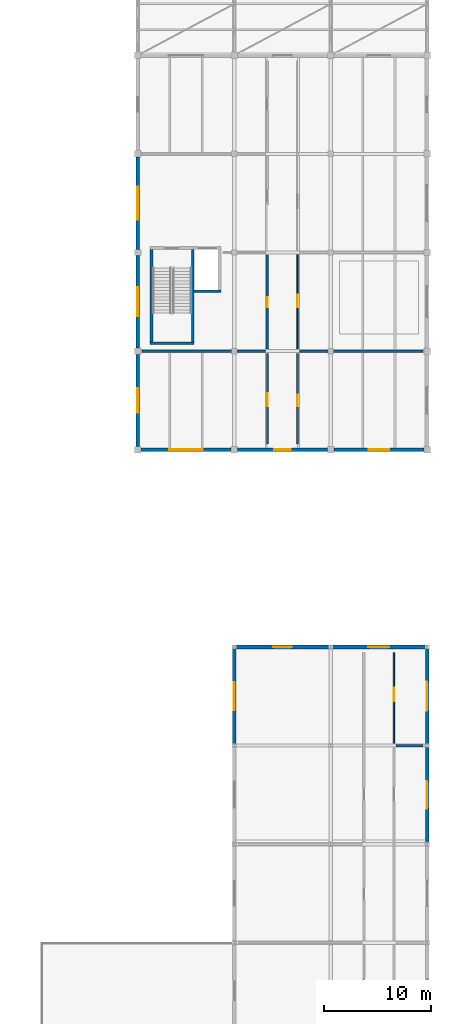
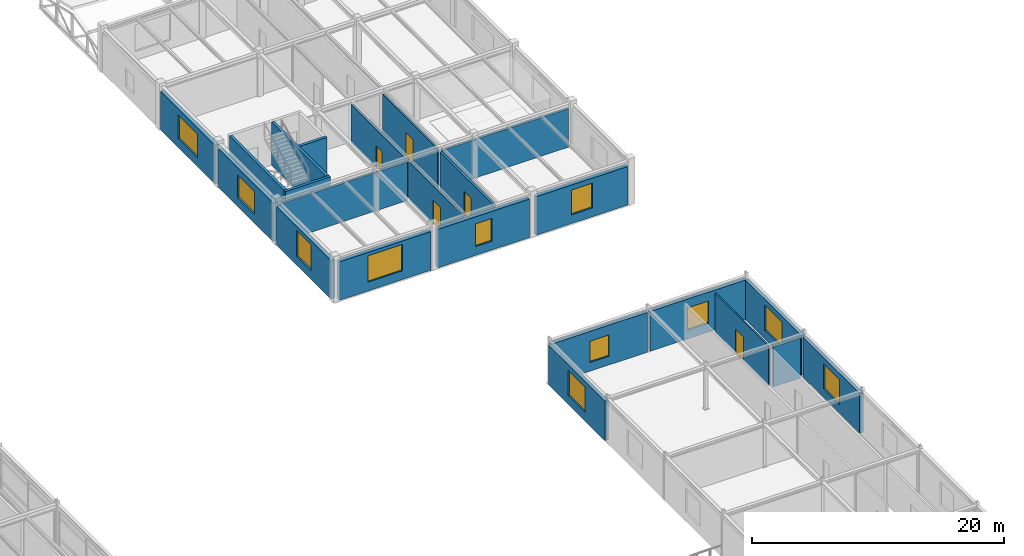
# One storey, part 45 of 55: 23 walls, 11 windows, 5 doors, 16 openings.
"""IFC4 building model written with IfcOpenShell, lengths in metres."""

from ifc_helpers import new_model, si_unit, direction, frame, frame_2d, origin, place, context, subcontext, project, spatial, rectangle, extrude, material, layer, layer_set, type_object, element, fill, save


model = new_model("IFC4")

# Units and contexts
model_context = context("Model", 3, precision=1e-05, world=origin(), true_north=direction((0.0, 1.0)))
body_context = subcontext(model_context, "Body", "Model", "MODEL_VIEW")
ifc_project = project(units=[si_unit("LENGTHUNIT", "METRE"), si_unit("AREAUNIT", "SQUARE_METRE"), si_unit("VOLUMEUNIT", "CUBIC_METRE"), si_unit("PLANEANGLEUNIT", "RADIAN"), si_unit("MASSUNIT", "GRAM", prefix="KILO")], contexts=[model_context])

# Site, building, storey
site_placement = place(None, origin())
site = spatial("IfcSite", under=ifc_project, at=site_placement, CompositionType="ELEMENT")
building_placement = place(site_placement, origin())
building = spatial("IfcBuilding", under=site, at=building_placement, Name="Bozkorgan Art Gallery", CompositionType="ELEMENT")
storey_placement = place(building_placement, frame((0.0, 0.0, 15.0)))
storey = spatial("IfcBuildingStorey", under=building, at=storey_placement, Name="L03", CompositionType="ELEMENT", Elevation=15.0)

# Walls
ifc_material_1 = material(Name="Concrete C40/50", Category="concrete")
ifc_layer_1 = layer(ifc_material_1, 0.25, Name="Concrete C40/50")
ifc_layer_set_1 = layer_set([ifc_layer_1], Name="Concrete C40/50")
wall_type_1 = type_object("IfcWallType", Name="IWALL-CW-51", PredefinedType="SHEAR", material=ifc_layer_set_1)
wall_1_placement = place(storey_placement, frame((138.14990234375, 75.925048828125, 0.0), z_axis=(0.0, 0.0, 1.0), x_axis=(1.0, 0.0, 0.0)))
element("IfcWall", 1, at=wall_1_placement, inside=storey, type_object=wall_type_1, Name="CORE3 L03 stair core S shear wall", PredefinedType="SHEAR", context=body_context, shape_type="SweptSolid", body=[
    extrude(rectangle(XDim=4.10009765625, YDim=0.25, at=frame_2d((2.050048828125, 0.0))), origin(), (0.0, 0.0, 1.0), 4.179931640625),
])
for number, where, z_axis, x_axis, name in (
    (2, (138.27490234375, 76.050048828125, 0.0), (0.0, 0.0, 1.0), (0.0, 1.0, 0.0), "CORE3 L03 stair core W shear wall"),
    (3, (142.125, 76.050048828125, 0.0), (0.0, 0.0, 1.0), (0.0, 1.0, 0.0), "CORE3 L03 stair core E shear wall"),
):
    element("IfcWall", number, at=place(storey_placement, frame(where, z_axis=z_axis, x_axis=x_axis)), inside=storey, type_object=wall_type_1, Name=name, PredefinedType="SHEAR", context=body_context, shape_type="SweptSolid", body=[
        extrude(rectangle(XDim=8.64990234375, YDim=0.25, at=frame_2d((4.324951171875, 0.0))), origin(), (0.0, 0.0, 1.0), 4.179931640625),
    ])
wall_2_placement = place(storey_placement, frame((142.25, 80.77490234375, 0.0), z_axis=(0.0, 0.0, 1.0), x_axis=(1.0, 0.0, 0.0)))
element("IfcWall", 4, at=wall_2_placement, inside=storey, type_object=wall_type_1, Name="GL1 L03 shaft S shear wall", PredefinedType="SHEAR", context=body_context, shape_type="SweptSolid", body=[
    extrude(rectangle(XDim=2.5, YDim=0.25, at=frame_2d((1.25, 0.0))), origin(), (0.0, 0.0, 1.0), 4.179931640625),
])

# Wall, opening, door
ifc_material_2 = material(Name="Acoustic Gypsum & Mineral Wool Partition")
ifc_layer_2 = layer(ifc_material_2, 0.22998046875, Name="Acoustic Gypsum & Mineral Wool Partition")
ifc_layer_set_2 = layer_set([ifc_layer_2], Name="Acoustic Gypsum & Mineral Wool Partition")
wall_type_2 = type_object("IfcWallType", Name="IWALL-PR-08", PredefinedType="PARTITIONING", material=ifc_layer_set_2)
wall_3_placement = place(storey_placement, frame((149.10009765625, 75.419921875, 0.0), z_axis=(0.0, 0.0, 1.0), x_axis=(0.0, 1.0, 0.0)))
wall_3 = element("IfcWall", 5, at=wall_3_placement, inside=storey, type_object=wall_type_2, Name="V5 L03 acoustic partition wall 329", PredefinedType="PARTITIONING", context=body_context, shape_type="SweptSolid", body=[
    extrude(rectangle(XDim=8.760009765625, YDim=0.22998046875, at=frame_2d((4.3798828125, 0.0))), origin(), (0.0, 0.0, 1.0), 3.72509765625),
])
opening_1_placement = place(wall_3_placement, frame((4.7998046875, 0.0, 0.0), z_axis=(0.0, 0.0, 1.0), x_axis=(-1.0, 0.0, 0.0)))
opening_1 = element("IfcOpeningElement", 6, at=opening_1_placement, cuts=wall_3, Name="Opening FD-12", PredefinedType="OPENING", context=body_context, shape_type="SweptSolid", body=[
    extrude(rectangle(XDim=0.919921875, YDim=2.1201171875, at=frame_2d((0.4599609375, 1.06005859375))), frame((0.0, 0.125, 0.0), z_axis=(0.0, -1.0, 0.0), x_axis=(1.0, 0.0, 0.0)), (0.0, 0.0, 1.0), 0.25),
])
ifc_material_3 = material(Name="Oiled European Oak Joinery")
door_type_1 = type_object("IfcDoorType", Name="IDOOR-FD-12", OperationType="NOTDEFINED", PredefinedType="DOOR", material=ifc_material_3)
door_1_placement = place(opening_1_placement, origin())
door_1 = element("IfcDoor", 7, at=door_1_placement, inside=storey, type_object=door_type_1, Name="Exhibition Design Studio Door", OperationType="SINGLE_SWING_LEFT", OverallHeight=2.1201171875, OverallWidth=0.919921875, PredefinedType="DOOR", context=body_context, shape_type="SweptSolid", body=[
    extrude(rectangle(XDim=0.919921875, YDim=2.1201171875, at=frame_2d((0.4599609375, 1.06005859375))), frame((0.0, 0.02490234375, 0.0), z_axis=(0.0, -1.0, 0.0), x_axis=(1.0, 0.0, 0.0)), (0.0, 0.0, 1.0), 0.050048828125),
])
fill(opening_1, door_1)

ifc_layer_3 = layer(ifc_material_2, 0.2099609375, Name="Acoustic Gypsum & Mineral Wool Partition")
ifc_layer_set_3 = layer_set([ifc_layer_3], Name="Acoustic Gypsum & Mineral Wool Partition")
wall_type_3 = type_object("IfcWallType", Name="IWALL-PR-38", PredefinedType="PARTITIONING", material=ifc_layer_set_3)
wall_4_placement = place(storey_placement, frame((151.89990234375, 66.5400390625, 0.0), z_axis=(0.0, 0.0, 1.0), x_axis=(0.0, 1.0, 0.0)))
wall_4 = element("IfcWall", 8, at=wall_4_placement, inside=storey, type_object=wall_type_3, Name="V5 L03 acoustic partition wall 334", PredefinedType="PARTITIONING", context=body_context, shape_type="SweptSolid", body=[
    extrude(rectangle(XDim=8.43994140625, YDim=0.2099609375, at=frame_2d((4.219970703125, 0.0))), origin(), (0.0, 0.0, 1.0), 3.72509765625),
])
opening_2_placement = place(wall_4_placement, frame((3.518798828125, 0.0, 0.0)))
opening_2 = element("IfcOpeningElement", 9, at=opening_2_placement, cuts=wall_4, Name="Opening FD-44", PredefinedType="OPENING", context=body_context, shape_type="SweptSolid", body=[
    extrude(rectangle(XDim=1.080078125, YDim=2.239990234375, at=frame_2d((0.5400390625, 1.1201171875))), frame((0.0, 0.114990234375, 0.0), z_axis=(0.0, -1.0, 0.0), x_axis=(1.0, 0.0, 0.0)), (0.0, 0.0, 1.0), 0.22998046875),
])
door_type_2 = type_object("IfcDoorType", Name="IDOOR-FD-44", OperationType="NOTDEFINED", PredefinedType="DOOR", material=ifc_material_3)
door_2_placement = place(opening_2_placement, origin())
door_2 = element("IfcDoor", 10, at=door_2_placement, inside=storey, type_object=door_type_2, Name="Board Conference Room Door", OperationType="SINGLE_SWING_RIGHT", OverallHeight=2.239990234375, OverallWidth=1.080078125, PredefinedType="DOOR", context=body_context, shape_type="SweptSolid", body=[
    extrude(rectangle(XDim=1.080078125, YDim=2.239990234375, at=frame_2d((0.5400390625, 1.1201171875))), frame((0.0, 0.02490234375, 0.0), z_axis=(0.0, -1.0, 0.0), x_axis=(1.0, 0.0, 0.0)), (0.0, 0.0, 1.0), 0.050048828125),
])
fill(opening_2, door_2)

ifc_layer_4 = layer(ifc_material_2, 0.18994140625, Name="Acoustic Gypsum & Mineral Wool Partition")
ifc_layer_set_4 = layer_set([ifc_layer_4], Name="Acoustic Gypsum & Mineral Wool Partition")
wall_type_4 = type_object("IfcWallType", Name="IWALL-PR-66", PredefinedType="PARTITIONING", material=ifc_layer_set_4)
wall_5_placement = place(storey_placement, frame((149.10009765625, 66.5400390625, 0.0), z_axis=(0.0, 0.0, 1.0), x_axis=(0.0, 1.0, 0.0)))
wall_5 = element("IfcWall", 11, at=wall_5_placement, inside=storey, type_object=wall_type_4, Name="V5 L03 acoustic partition wall 327", PredefinedType="PARTITIONING", context=body_context, shape_type="SweptSolid", body=[
    extrude(rectangle(XDim=8.43994140625, YDim=0.18994140625, at=frame_2d((4.219970703125, 0.0))), origin(), (0.0, 0.0, 1.0), 3.72509765625),
])
opening_3_placement = place(wall_5_placement, frame((4.71875, 0.0, 0.0), z_axis=(0.0, 0.0, 1.0), x_axis=(-1.0, 0.0, 0.0)))
opening_3 = element("IfcOpeningElement", 12, at=opening_3_placement, cuts=wall_5, Name="Opening FD-05", PredefinedType="OPENING", context=body_context, shape_type="SweptSolid", body=[
    extrude(rectangle(XDim=1.199951171875, YDim=2.300048828125, at=frame_2d((0.60009765625, 1.14990234375))), frame((0.0, 0.10498046875, 0.0), z_axis=(0.0, -1.0, 0.0), x_axis=(1.0, 0.0, 0.0)), (0.0, 0.0, 1.0), 0.2099609375),
])
door_type_3 = type_object("IfcDoorType", Name="IDOOR-FD-05", OperationType="NOTDEFINED", PredefinedType="DOOR", material=ifc_material_3)
door_3_placement = place(opening_3_placement, origin())
door_3 = element("IfcDoor", 13, at=door_3_placement, inside=storey, type_object=door_type_3, Name="Chief Curator Office Door", OperationType="SINGLE_SWING_RIGHT", OverallHeight=2.300048828125, OverallWidth=1.199951171875, PredefinedType="DOOR", context=body_context, shape_type="SweptSolid", body=[
    extrude(rectangle(XDim=1.199951171875, YDim=2.300048828125, at=frame_2d((0.60009765625, 1.14990234375))), frame((0.0, 0.02490234375, 0.0), z_axis=(0.0, -1.0, 0.0), x_axis=(1.0, 0.0, 0.0)), (0.0, 0.0, 1.0), 0.050048828125),
])
fill(opening_3, door_3)

ifc_layer_5 = layer(ifc_material_2, 0.1298828125, Name="Acoustic Gypsum & Mineral Wool Partition")
ifc_layer_set_5 = layer_set([ifc_layer_5], Name="Acoustic Gypsum & Mineral Wool Partition")
wall_type_5 = type_object("IfcWallType", Name="IWALL-PR-76", PredefinedType="PARTITIONING", material=ifc_layer_set_5)
wall_6_placement = place(storey_placement, frame((151.89990234375, 75.419921875, 0.0), z_axis=(0.0, 0.0, 1.0), x_axis=(0.0, 1.0, 0.0)))
wall_6 = element("IfcWall", 14, at=wall_6_placement, inside=storey, type_object=wall_type_5, Name="V5 L03 acoustic partition wall 336", PredefinedType="PARTITIONING", context=body_context, shape_type="SweptSolid", body=[
    extrude(rectangle(XDim=8.760009765625, YDim=0.1298828125, at=frame_2d((4.3798828125, 0.0))), origin(), (0.0, 0.0, 1.0), 3.72509765625),
])
opening_4_placement = place(wall_6_placement, frame((3.8798828125, 0.0, 0.0)))
opening_4 = element("IfcOpeningElement", 15, at=opening_4_placement, cuts=wall_6, Name="Opening FD-03", PredefinedType="OPENING", context=body_context, shape_type="SweptSolid", body=[
    extrude(rectangle(XDim=1.159912109375, YDim=2.280029296875, at=frame_2d((0.580078125, 1.14013671875))), frame((0.0, 0.074951171875, 0.0), z_axis=(0.0, -1.0, 0.0), x_axis=(1.0, 0.0, 0.0)), (0.0, 0.0, 1.0), 0.14990234375),
])
door_type_4 = type_object("IfcDoorType", Name="IDOOR-FD-03", OperationType="NOTDEFINED", PredefinedType="DOOR", material=ifc_material_3)
door_4_placement = place(opening_4_placement, origin())
door_4 = element("IfcDoor", 16, at=door_4_placement, inside=storey, type_object=door_type_4, Name="Collection Archive Room Door", OperationType="SINGLE_SWING_LEFT", OverallHeight=2.280029296875, OverallWidth=1.159912109375, PredefinedType="DOOR", context=body_context, shape_type="SweptSolid", body=[
    extrude(rectangle(XDim=1.159912109375, YDim=2.280029296875, at=frame_2d((0.580078125, 1.14013671875))), frame((0.0, 0.02490234375, 0.0), z_axis=(0.0, -1.0, 0.0), x_axis=(1.0, 0.0, 0.0)), (0.0, 0.0, 1.0), 0.050048828125),
])
fill(opening_4, door_4)

wall_7_placement = place(storey_placement, frame((160.89990234375, 38.6201171875, 0.0), z_axis=(0.0, 0.0, 1.0), x_axis=(0.0, 1.0, 0.0)))
wall_7 = element("IfcWall", 17, at=wall_7_placement, inside=storey, type_object=wall_type_5, Name="V6 L03 acoustic partition wall 408", PredefinedType="PARTITIONING", context=body_context, shape_type="SweptSolid", body=[
    extrude(rectangle(XDim=8.43994140625, YDim=0.1298828125, at=frame_2d((4.219970703125, 0.0))), origin(), (0.0, 0.0, 1.0), 3.85498046875),
])
opening_5_placement = place(wall_7_placement, frame((3.921142578125, 0.0, 0.0)))
opening_5 = element("IfcOpeningElement", 18, at=opening_5_placement, cuts=wall_7, Name="Opening FD-40", PredefinedType="OPENING", context=body_context, shape_type="SweptSolid", body=[
    extrude(rectangle(XDim=1.239990234375, YDim=2.320068359375, at=frame_2d((0.6201171875, 1.16015625))), frame((0.0, 0.074951171875, 0.0), z_axis=(0.0, -1.0, 0.0), x_axis=(1.0, 0.0, 0.0)), (0.0, 0.0, 1.0), 0.14990234375),
])
door_type_5 = type_object("IfcDoorType", Name="IDOOR-FD-40", OperationType="NOTDEFINED", PredefinedType="DOOR", material=ifc_material_3)
door_5_placement = place(opening_5_placement, origin())
door_5 = element("IfcDoor", 19, at=door_5_placement, inside=storey, type_object=door_type_5, Name="Textile Weaving Studio Door", OperationType="SINGLE_SWING_LEFT", OverallHeight=2.320068359375, OverallWidth=1.239990234375, PredefinedType="DOOR", context=body_context, shape_type="SweptSolid", body=[
    extrude(rectangle(XDim=1.239990234375, YDim=2.320068359375, at=frame_2d((0.6201171875, 1.16015625))), frame((0.0, 0.02490234375, 0.0), z_axis=(0.0, -1.0, 0.0), x_axis=(1.0, 0.0, 0.0)), (0.0, 0.0, 1.0), 0.050048828125),
])
fill(opening_5, door_5)

# Walls
ifc_layer_6 = layer(ifc_material_2, 0.2099609375, Name="Acoustic Gypsum & Mineral Wool Partition")
ifc_layer_set_6 = layer_set([ifc_layer_6], Name="Acoustic Gypsum & Mineral Wool Partition")
wall_type_6 = type_object("IfcWallType", Name="IWALL-PW-72", PredefinedType="PARTITIONING", material=ifc_layer_set_6)
wall_8_placement = place(storey_placement, frame((137.39990234375, 75.199951171875, 0.0), z_axis=(0.0, 0.0, 1.0), x_axis=(1.0, 0.0, 0.0)))
element("IfcWall", 20, at=wall_8_placement, inside=storey, type_object=wall_type_6, Name="V5 L03 acoustic partition wall 328", PredefinedType="PARTITIONING", context=body_context, shape_type="SweptSolid", body=[
    extrude(rectangle(XDim=11.5, YDim=0.2099609375, at=frame_2d((5.75, 0.0))), origin(), (0.0, 0.0, 1.0), 3.72509765625),
])
ifc_layer_7 = layer(ifc_material_2, 0.22998046875, Name="Acoustic Gypsum & Mineral Wool Partition")
ifc_layer_set_7 = layer_set([ifc_layer_7], Name="Acoustic Gypsum & Mineral Wool Partition")
wall_type_7 = type_object("IfcWallType", Name="IWALL-PW-96", PredefinedType="PARTITIONING", material=ifc_layer_set_7)
wall_9_placement = place(storey_placement, frame((152.10009765625, 75.199951171875, 0.0), z_axis=(0.0, 0.0, 1.0), x_axis=(1.0, 0.0, 0.0)))
element("IfcWall", 21, at=wall_9_placement, inside=storey, type_object=wall_type_7, Name="V5 L03 acoustic partition wall 335", PredefinedType="PARTITIONING", context=body_context, shape_type="SweptSolid", body=[
    extrude(rectangle(XDim=11.5, YDim=0.22998046875, at=frame_2d((5.75, 0.0))), origin(), (0.0, 0.0, 1.0), 3.72509765625),
])
wall_10_placement = place(storey_placement, frame((161.10009765625, 38.39990234375, 0.0), z_axis=(0.0, 0.0, 1.0), x_axis=(1.0, 0.0, 0.0)))
element("IfcWall", 22, at=wall_10_placement, inside=storey, type_object=wall_type_7, Name="V6 L03 acoustic partition wall 407", PredefinedType="PARTITIONING", context=body_context, shape_type="SweptSolid", body=[
    extrude(rectangle(XDim=2.5, YDim=0.22998046875, at=frame_2d((1.25, 0.0))), origin(), (0.0, 0.0, 1.0), 3.85498046875),
])

# Wall, opening, window
ifc_material_4 = material(Name="Pressed Terracotta Brick Masonry", Category="masonry")
ifc_layer_8 = layer(ifc_material_4, 0.340087890625, Name="Pressed Terracotta Brick Masonry")
ifc_layer_set_8 = layer_set([ifc_layer_8], Name="Pressed Terracotta Brick Masonry")
wall_type_8 = type_object("IfcWallType", Name="WALL-WB-71", PredefinedType="STANDARD", material=ifc_layer_set_8)
wall_11_placement = place(storey_placement, frame((146.1201171875, 47.60009765625, 0.0), z_axis=(0.0, 0.0, 1.0), x_axis=(1.0, 0.0, 0.0)))
wall_11 = element("IfcWall", 23, at=wall_11_placement, inside=storey, type_object=wall_type_8, Name="V6 L03 exterior facade wall 1N-2", PredefinedType="STANDARD", context=body_context, shape_type="SweptSolid", body=[
    extrude(rectangle(XDim=8.759765625, YDim=0.340087890625, at=frame_2d((4.3798828125, 0.0))), origin(), (0.0, 0.0, 1.0), 3.85498046875),
])
opening_6_placement = place(wall_11_placement, frame((3.5048828125, 0.0, 0.85009765625)))
opening_6 = element("IfcOpeningElement", 24, at=opening_6_placement, cuts=wall_11, Name="Opening WN-98", PredefinedType="OPENING", context=body_context, shape_type="SweptSolid", body=[
    extrude(rectangle(XDim=1.75, YDim=2.050048828125, at=frame_2d((0.875, 1.02490234375))), frame((0.0, 0.18017578125, 0.0), z_axis=(0.0, -1.0, 0.0), x_axis=(1.0, 0.0, 0.0)), (0.0, 0.0, 1.0), 0.360107421875),
])
ifc_material_5 = material(Name="Triple Low-E Laminated Glass", Category="glass")
window_type_1 = type_object("IfcWindowType", Name="WIN-WN-98", PartitioningType="SINGLE_PANEL", PredefinedType="WINDOW", material=ifc_material_5)
window_1_placement = place(opening_6_placement, origin())
window_1 = element("IfcWindow", 25, at=window_1_placement, inside=storey, type_object=window_type_1, Name="V6 L03 gallery window 1N-2", OverallHeight=2.050048828125, OverallWidth=1.75, PartitioningType="SINGLE_PANEL", PredefinedType="WINDOW", context=body_context, shape_type="SweptSolid", body=[
    extrude(rectangle(XDim=1.75, YDim=2.050048828125, at=frame_2d((0.875, 1.02490234375))), frame((0.0, 0.030029296875, 0.0), z_axis=(0.0, -1.0, 0.0), x_axis=(1.0, 0.0, 0.0)), (0.0, 0.0, 1.0), 0.06005859375),
])
fill(opening_6, window_1)

wall_12_placement = place(storey_placement, frame((155.1201171875, 47.60009765625, 0.0), z_axis=(0.0, 0.0, 1.0), x_axis=(1.0, 0.0, 0.0)))
wall_12 = element("IfcWall", 26, at=wall_12_placement, inside=storey, type_object=wall_type_8, Name="V6 L03 exterior facade wall 1N-4", PredefinedType="STANDARD", context=body_context, shape_type="SweptSolid", body=[
    extrude(rectangle(XDim=8.759765625, YDim=0.340087890625, at=frame_2d((4.3798828125, 0.0))), origin(), (0.0, 0.0, 1.0), 3.85498046875),
])
opening_7_placement = place(wall_12_placement, frame((3.405029296875, 0.0, 0.85009765625)))
opening_7 = element("IfcOpeningElement", 27, at=opening_7_placement, cuts=wall_12, Name="Opening WN-18", PredefinedType="OPENING", context=body_context, shape_type="SweptSolid", body=[
    extrude(rectangle(XDim=1.949951171875, YDim=2.14990234375, at=frame_2d((0.97509765625, 1.074951171875))), frame((0.0, 0.18017578125, 0.0), z_axis=(0.0, -1.0, 0.0), x_axis=(1.0, 0.0, 0.0)), (0.0, 0.0, 1.0), 0.360107421875),
])
window_type_2 = type_object("IfcWindowType", Name="WIN-WN-18", PartitioningType="SINGLE_PANEL", PredefinedType="WINDOW", material=ifc_material_5)
window_2_placement = place(opening_7_placement, origin())
window_2 = element("IfcWindow", 28, at=window_2_placement, inside=storey, type_object=window_type_2, Name="V6 L03 gallery window 1N-4", OverallHeight=2.14990234375, OverallWidth=1.949951171875, PartitioningType="SINGLE_PANEL", PredefinedType="WINDOW", context=body_context, shape_type="SweptSolid", body=[
    extrude(rectangle(XDim=1.949951171875, YDim=2.14990234375, at=frame_2d((0.97509765625, 1.074951171875))), frame((0.0, 0.030029296875, 0.0), z_axis=(0.0, -1.0, 0.0), x_axis=(1.0, 0.0, 0.0)), (0.0, 0.0, 1.0), 0.06005859375),
])
fill(opening_7, window_2)

wall_13_placement = place(storey_placement, frame((164.0, 29.320068359375, 0.0), z_axis=(0.0, 0.0, 1.0), x_axis=(0.0, 1.0, 0.0)))
wall_13 = element("IfcWall", 29, at=wall_13_placement, inside=storey, type_object=wall_type_8, Name="V6 L03 exterior facade wall 1E-12", PredefinedType="STANDARD", context=body_context, shape_type="SweptSolid", body=[
    extrude(rectangle(XDim=8.9599609375, YDim=0.340087890625, at=frame_2d((4.47998046875, 0.0))), origin(), (0.0, 0.0, 1.0), 3.85498046875),
])
opening_8_placement = place(wall_13_placement, frame((5.755126953125, 0.0, 0.85009765625), z_axis=(0.0, 0.0, 1.0), x_axis=(-1.0, 0.0, 0.0)))
opening_8 = element("IfcOpeningElement", 30, at=opening_8_placement, cuts=wall_13, Name="Opening WN-23", PredefinedType="OPENING", context=body_context, shape_type="SweptSolid", body=[
    extrude(rectangle(XDim=2.550048828125, YDim=2.39990234375, at=frame_2d((1.27490234375, 1.199951171875))), frame((0.0, 0.18017578125, 0.0), z_axis=(0.0, -1.0, 0.0), x_axis=(1.0, 0.0, 0.0)), (0.0, 0.0, 1.0), 0.360107421875),
])
window_type_3 = type_object("IfcWindowType", Name="WIN-WN-23", PartitioningType="SINGLE_PANEL", PredefinedType="WINDOW", material=ifc_material_5)
window_3_placement = place(opening_8_placement, origin())
window_3 = element("IfcWindow", 31, at=window_3_placement, inside=storey, type_object=window_type_3, Name="V6 L03 gallery window 1E-12", OverallHeight=2.39990234375, OverallWidth=2.550048828125, PartitioningType="SINGLE_PANEL", PredefinedType="WINDOW", context=body_context, shape_type="SweptSolid", body=[
    extrude(rectangle(XDim=2.550048828125, YDim=2.39990234375, at=frame_2d((1.27490234375, 1.199951171875))), frame((0.0, 0.030029296875, 0.0), z_axis=(0.0, -1.0, 0.0), x_axis=(1.0, 0.0, 0.0)), (0.0, 0.0, 1.0), 0.06005859375),
])
fill(opening_8, window_3)

wall_14_placement = place(storey_placement, frame((146.0, 38.52001953125, 0.0), z_axis=(0.0, 0.0, 1.0), x_axis=(0.0, 1.0, 0.0)))
wall_14 = element("IfcWall", 32, at=wall_14_placement, inside=storey, type_object=wall_type_8, Name="V6 L03 exterior facade wall 1W-13", PredefinedType="STANDARD", context=body_context, shape_type="SweptSolid", body=[
    extrude(rectangle(XDim=8.9599609375, YDim=0.340087890625, at=frame_2d((4.47998046875, 0.0))), origin(), (0.0, 0.0, 1.0), 3.85498046875),
])
opening_9_placement = place(wall_14_placement, frame((3.155029296875, 0.0, 0.85009765625)))
opening_9 = element("IfcOpeningElement", 33, at=opening_9_placement, cuts=wall_14, Name="Opening WN-80", PredefinedType="OPENING", context=body_context, shape_type="SweptSolid", body=[
    extrude(rectangle(XDim=2.64990234375, YDim=2.449951171875, at=frame_2d((1.324951171875, 1.22509765625))), frame((0.0, 0.18017578125, 0.0), z_axis=(0.0, -1.0, 0.0), x_axis=(1.0, 0.0, 0.0)), (0.0, 0.0, 1.0), 0.360107421875),
])
window_type_4 = type_object("IfcWindowType", Name="WIN-WN-80", PartitioningType="SINGLE_PANEL", PredefinedType="WINDOW", material=ifc_material_5)
window_4_placement = place(opening_9_placement, origin())
window_4 = element("IfcWindow", 34, at=window_4_placement, inside=storey, type_object=window_type_4, Name="V6 L03 gallery window 1W-13", OverallHeight=2.449951171875, OverallWidth=2.64990234375, PartitioningType="SINGLE_PANEL", PredefinedType="WINDOW", context=body_context, shape_type="SweptSolid", body=[
    extrude(rectangle(XDim=2.64990234375, YDim=2.449951171875, at=frame_2d((1.324951171875, 1.22509765625))), frame((0.0, 0.030029296875, 0.0), z_axis=(0.0, -1.0, 0.0), x_axis=(1.0, 0.0, 0.0)), (0.0, 0.0, 1.0), 0.06005859375),
])
fill(opening_9, window_4)

wall_15_placement = place(storey_placement, frame((164.0, 38.52001953125, 0.0), z_axis=(0.0, 0.0, 1.0), x_axis=(0.0, 1.0, 0.0)))
wall_15 = element("IfcWall", 35, at=wall_15_placement, inside=storey, type_object=wall_type_8, Name="V6 L03 exterior facade wall 1E-14", PredefinedType="STANDARD", context=body_context, shape_type="SweptSolid", body=[
    extrude(rectangle(XDim=8.9599609375, YDim=0.340087890625, at=frame_2d((4.47998046875, 0.0))), origin(), (0.0, 0.0, 1.0), 3.85498046875),
])
opening_10_placement = place(wall_15_placement, frame((5.85498046875, 0.0, 0.85009765625), z_axis=(0.0, 0.0, 1.0), x_axis=(-1.0, 0.0, 0.0)))
opening_10 = element("IfcOpeningElement", 36, at=opening_10_placement, cuts=wall_15, Name="Opening WN-02", PredefinedType="OPENING", context=body_context, shape_type="SweptSolid", body=[
    extrude(rectangle(XDim=2.75, YDim=2.449951171875, at=frame_2d((1.375, 1.22509765625))), frame((0.0, 0.18017578125, 0.0), z_axis=(0.0, -1.0, 0.0), x_axis=(1.0, 0.0, 0.0)), (0.0, 0.0, 1.0), 0.360107421875),
])
window_type_5 = type_object("IfcWindowType", Name="WIN-WN-02", PartitioningType="SINGLE_PANEL", PredefinedType="WINDOW", material=ifc_material_5)
window_5_placement = place(opening_10_placement, origin())
window_5 = element("IfcWindow", 37, at=window_5_placement, inside=storey, type_object=window_type_5, Name="V6 L03 gallery window 1E-14", OverallHeight=2.449951171875, OverallWidth=2.75, PartitioningType="SINGLE_PANEL", PredefinedType="WINDOW", context=body_context, shape_type="SweptSolid", body=[
    extrude(rectangle(XDim=2.75, YDim=2.449951171875, at=frame_2d((1.375, 1.22509765625))), frame((0.0, 0.030029296875, 0.0), z_axis=(0.0, -1.0, 0.0), x_axis=(1.0, 0.0, 0.0)), (0.0, 0.0, 1.0), 0.06005859375),
])
fill(opening_10, window_5)

ifc_layer_9 = layer(ifc_material_4, 0.360107421875, Name="Pressed Terracotta Brick Masonry")
ifc_layer_set_9 = layer_set([ifc_layer_9], Name="Pressed Terracotta Brick Masonry")
wall_type_9 = type_object("IfcWallType", Name="WALL-WB-99", PredefinedType="STANDARD", material=ifc_layer_set_9)
wall_16_placement = place(storey_placement, frame((137.300048828125, 66.0, 0.0), z_axis=(0.0, 0.0, 1.0), x_axis=(1.0, 0.0, 0.0)))
wall_16 = element("IfcWall", 38, at=wall_16_placement, inside=storey, type_object=wall_type_9, Name="V5 L03 exterior facade wall 1S-1", PredefinedType="STANDARD", context=body_context, shape_type="SweptSolid", body=[
    extrude(rectangle(XDim=8.39990234375, YDim=0.360107421875, at=frame_2d((4.199951171875, 0.0))), origin(), (0.0, 0.0, 1.0), 3.72509765625),
])
opening_11_placement = place(wall_16_placement, frame((5.77490234375, 0.0, 0.85009765625), z_axis=(0.0, 0.0, 1.0), x_axis=(-1.0, 0.0, 0.0)))
opening_11 = element("IfcOpeningElement", 39, at=opening_11_placement, cuts=wall_16, Name="Opening WN-84", PredefinedType="OPENING", context=body_context, shape_type="SweptSolid", body=[
    extrude(rectangle(XDim=3.14990234375, YDim=2.550048828125, at=frame_2d((1.574951171875, 1.27490234375))), frame((0.0, 0.18994140625, 0.0), z_axis=(0.0, -1.0, 0.0), x_axis=(1.0, 0.0, 0.0)), (0.0, 0.0, 1.0), 0.380126953125),
])
window_type_6 = type_object("IfcWindowType", Name="WIN-WN-84", PartitioningType="SINGLE_PANEL", PredefinedType="WINDOW", material=ifc_material_5)
window_6_placement = place(opening_11_placement, origin())
window_6 = element("IfcWindow", 40, at=window_6_placement, inside=storey, type_object=window_type_6, Name="V5 L03 gallery window 1S-1", OverallHeight=2.550048828125, OverallWidth=3.14990234375, PartitioningType="SINGLE_PANEL", PredefinedType="WINDOW", context=body_context, shape_type="SweptSolid", body=[
    extrude(rectangle(XDim=3.14990234375, YDim=2.550048828125, at=frame_2d((1.574951171875, 1.27490234375))), frame((0.0, 0.030029296875, 0.0), z_axis=(0.0, -1.0, 0.0), x_axis=(1.0, 0.0, 0.0)), (0.0, 0.0, 1.0), 0.06005859375),
])
fill(opening_11, window_6)

wall_17_placement = place(storey_placement, frame((146.300048828125, 66.0, 0.0), z_axis=(0.0, 0.0, 1.0), x_axis=(1.0, 0.0, 0.0)))
wall_17 = element("IfcWall", 41, at=wall_17_placement, inside=storey, type_object=wall_type_9, Name="V5 L03 exterior facade wall 1S-3", PredefinedType="STANDARD", context=body_context, shape_type="SweptSolid", body=[
    extrude(rectangle(XDim=8.39990234375, YDim=0.360107421875, at=frame_2d((4.199951171875, 0.0))), origin(), (0.0, 0.0, 1.0), 3.72509765625),
])
opening_12_placement = place(wall_17_placement, frame((4.949951171875, 0.0, 0.85009765625), z_axis=(0.0, 0.0, 1.0), x_axis=(-1.0, 0.0, 0.0)))
opening_12 = element("IfcOpeningElement", 42, at=opening_12_placement, cuts=wall_17, Name="Opening WN-07", PredefinedType="OPENING", context=body_context, shape_type="SweptSolid", body=[
    extrude(rectangle(XDim=1.5, YDim=2.199951171875, at=frame_2d((0.75, 1.10009765625))), frame((0.0, 0.18994140625, 0.0), z_axis=(0.0, -1.0, 0.0), x_axis=(1.0, 0.0, 0.0)), (0.0, 0.0, 1.0), 0.380126953125),
])
window_type_7 = type_object("IfcWindowType", Name="WIN-WN-07", PartitioningType="SINGLE_PANEL", PredefinedType="WINDOW", material=ifc_material_5)
window_7_placement = place(opening_12_placement, origin())
window_7 = element("IfcWindow", 43, at=window_7_placement, inside=storey, type_object=window_type_7, Name="V5 L03 gallery window 1S-3", OverallHeight=2.199951171875, OverallWidth=1.5, PartitioningType="SINGLE_PANEL", PredefinedType="WINDOW", context=body_context, shape_type="SweptSolid", body=[
    extrude(rectangle(XDim=1.5, YDim=2.199951171875, at=frame_2d((0.75, 1.10009765625))), frame((0.0, 0.030029296875, 0.0), z_axis=(0.0, -1.0, 0.0), x_axis=(1.0, 0.0, 0.0)), (0.0, 0.0, 1.0), 0.06005859375),
])
fill(opening_12, window_7)

wall_18_placement = place(storey_placement, frame((155.300048828125, 66.0, 0.0), z_axis=(0.0, 0.0, 1.0), x_axis=(1.0, 0.0, 0.0)))
wall_18 = element("IfcWall", 44, at=wall_18_placement, inside=storey, type_object=wall_type_9, Name="V5 L03 exterior facade wall 1S-5", PredefinedType="STANDARD", context=body_context, shape_type="SweptSolid", body=[
    extrude(rectangle(XDim=8.39990234375, YDim=0.360107421875, at=frame_2d((4.199951171875, 0.0))), origin(), (0.0, 0.0, 1.0), 3.72509765625),
])
opening_13_placement = place(wall_18_placement, frame((5.14990234375, 0.0, 0.85009765625), z_axis=(0.0, 0.0, 1.0), x_axis=(-1.0, 0.0, 0.0)))
opening_13 = element("IfcOpeningElement", 45, at=opening_13_placement, cuts=wall_18, Name="Opening WN-52", PredefinedType="OPENING", context=body_context, shape_type="SweptSolid", body=[
    extrude(rectangle(XDim=1.89990234375, YDim=2.39990234375, at=frame_2d((0.949951171875, 1.199951171875))), frame((0.0, 0.18994140625, 0.0), z_axis=(0.0, -1.0, 0.0), x_axis=(1.0, 0.0, 0.0)), (0.0, 0.0, 1.0), 0.380126953125),
])
window_type_8 = type_object("IfcWindowType", Name="WIN-WN-52", PartitioningType="SINGLE_PANEL", PredefinedType="WINDOW", material=ifc_material_5)
window_8_placement = place(opening_13_placement, origin())
window_8 = element("IfcWindow", 46, at=window_8_placement, inside=storey, type_object=window_type_8, Name="V5 L03 gallery window 1S-5", OverallHeight=2.39990234375, OverallWidth=1.89990234375, PartitioningType="SINGLE_PANEL", PredefinedType="WINDOW", context=body_context, shape_type="SweptSolid", body=[
    extrude(rectangle(XDim=1.89990234375, YDim=2.39990234375, at=frame_2d((0.949951171875, 1.199951171875))), frame((0.0, 0.030029296875, 0.0), z_axis=(0.0, -1.0, 0.0), x_axis=(1.0, 0.0, 0.0)), (0.0, 0.0, 1.0), 0.06005859375),
])
fill(opening_13, window_8)

wall_19_placement = place(storey_placement, frame((137.0, 66.300048828125, 0.0), z_axis=(0.0, 0.0, 1.0), x_axis=(0.0, 1.0, 0.0)))
wall_19 = element("IfcWall", 47, at=wall_19_placement, inside=storey, type_object=wall_type_9, Name="V5 L03 exterior facade wall 1W-7", PredefinedType="STANDARD", context=body_context, shape_type="SweptSolid", body=[
    extrude(rectangle(XDim=8.599853515625, YDim=0.360107421875, at=frame_2d((4.2998046875, 0.0))), origin(), (0.0, 0.0, 1.0), 3.72509765625),
])
opening_14_placement = place(wall_19_placement, frame((3.14990234375, 0.0, 0.85009765625)))
opening_14 = element("IfcOpeningElement", 48, at=opening_14_placement, cuts=wall_19, Name="Opening WN-48", PredefinedType="OPENING", context=body_context, shape_type="SweptSolid", body=[
    extrude(rectangle(XDim=2.300048828125, YDim=2.5, at=frame_2d((1.14990234375, 1.25))), frame((0.0, 0.18994140625, 0.0), z_axis=(0.0, -1.0, 0.0), x_axis=(1.0, 0.0, 0.0)), (0.0, 0.0, 1.0), 0.380126953125),
])
window_type_9 = type_object("IfcWindowType", Name="WIN-WN-48", PartitioningType="SINGLE_PANEL", PredefinedType="WINDOW", material=ifc_material_5)
window_9_placement = place(opening_14_placement, origin())
window_9 = element("IfcWindow", 49, at=window_9_placement, inside=storey, type_object=window_type_9, Name="V5 L03 gallery window 1W-7", OverallHeight=2.5, OverallWidth=2.300048828125, PartitioningType="SINGLE_PANEL", PredefinedType="WINDOW", context=body_context, shape_type="SweptSolid", body=[
    extrude(rectangle(XDim=2.300048828125, YDim=2.5, at=frame_2d((1.14990234375, 1.25))), frame((0.0, 0.030029296875, 0.0), z_axis=(0.0, -1.0, 0.0), x_axis=(1.0, 0.0, 0.0)), (0.0, 0.0, 1.0), 0.06005859375),
])
fill(opening_14, window_9)

wall_20_placement = place(storey_placement, frame((137.0, 75.5, 0.0), z_axis=(0.0, 0.0, 1.0), x_axis=(0.0, 1.0, 0.0)))
wall_20 = element("IfcWall", 50, at=wall_20_placement, inside=storey, type_object=wall_type_9, Name="V5 L03 exterior facade wall 1W-9", PredefinedType="STANDARD", context=body_context, shape_type="SweptSolid", body=[
    extrude(rectangle(XDim=8.60009765625, YDim=0.360107421875, at=frame_2d((4.300048828125, 0.0))), origin(), (0.0, 0.0, 1.0), 3.72509765625),
])
opening_15_placement = place(wall_20_placement, frame((2.949951171875, 0.0, 0.85009765625)))
opening_15 = element("IfcOpeningElement", 51, at=opening_15_placement, cuts=wall_20, Name="Opening WN-57", PredefinedType="OPENING", context=body_context, shape_type="SweptSolid", body=[
    extrude(rectangle(XDim=2.699951171875, YDim=2.199951171875, at=frame_2d((1.35009765625, 1.10009765625))), frame((0.0, 0.18994140625, 0.0), z_axis=(0.0, -1.0, 0.0), x_axis=(1.0, 0.0, 0.0)), (0.0, 0.0, 1.0), 0.380126953125),
])
window_type_10 = type_object("IfcWindowType", Name="WIN-WN-57", PartitioningType="SINGLE_PANEL", PredefinedType="WINDOW", material=ifc_material_5)
window_10_placement = place(opening_15_placement, origin())
window_10 = element("IfcWindow", 52, at=window_10_placement, inside=storey, type_object=window_type_10, Name="V5 L03 gallery window 1W-9", OverallHeight=2.199951171875, OverallWidth=2.699951171875, PartitioningType="SINGLE_PANEL", PredefinedType="WINDOW", context=body_context, shape_type="SweptSolid", body=[
    extrude(rectangle(XDim=2.699951171875, YDim=2.199951171875, at=frame_2d((1.35009765625, 1.10009765625))), frame((0.0, 0.030029296875, 0.0), z_axis=(0.0, -1.0, 0.0), x_axis=(1.0, 0.0, 0.0)), (0.0, 0.0, 1.0), 0.06005859375),
])
fill(opening_15, window_10)

wall_21_placement = place(storey_placement, frame((137.0, 84.699951171875, 0.0), z_axis=(0.0, 0.0, 1.0), x_axis=(0.0, 1.0, 0.0)))
wall_21 = element("IfcWall", 53, at=wall_21_placement, inside=storey, type_object=wall_type_9, Name="V5 L03 exterior facade wall 1W-11", PredefinedType="STANDARD", context=body_context, shape_type="SweptSolid", body=[
    extrude(rectangle(XDim=8.60009765625, YDim=0.360107421875, at=frame_2d((4.300048828125, 0.0))), origin(), (0.0, 0.0, 1.0), 3.72509765625),
])
opening_16_placement = place(wall_21_placement, frame((2.75, 0.0, 0.85009765625)))
opening_16 = element("IfcOpeningElement", 54, at=opening_16_placement, cuts=wall_21, Name="Opening WN-71", PredefinedType="OPENING", context=body_context, shape_type="SweptSolid", body=[
    extrude(rectangle(XDim=3.10009765625, YDim=2.300048828125, at=frame_2d((1.550048828125, 1.14990234375))), frame((0.0, 0.18994140625, 0.0), z_axis=(0.0, -1.0, 0.0), x_axis=(1.0, 0.0, 0.0)), (0.0, 0.0, 1.0), 0.380126953125),
])
window_type_11 = type_object("IfcWindowType", Name="WIN-WN-71", PartitioningType="SINGLE_PANEL", PredefinedType="WINDOW", material=ifc_material_5)
window_11_placement = place(opening_16_placement, origin())
window_11 = element("IfcWindow", 55, at=window_11_placement, inside=storey, type_object=window_type_11, Name="V5 L03 gallery window 1W-11", OverallHeight=2.300048828125, OverallWidth=3.10009765625, PartitioningType="SINGLE_PANEL", PredefinedType="WINDOW", context=body_context, shape_type="SweptSolid", body=[
    extrude(rectangle(XDim=3.10009765625, YDim=2.300048828125, at=frame_2d((1.550048828125, 1.14990234375))), frame((0.0, 0.030029296875, 0.0), z_axis=(0.0, -1.0, 0.0), x_axis=(1.0, 0.0, 0.0)), (0.0, 0.0, 1.0), 0.06005859375),
])
fill(opening_16, window_11)

save(model, "model.ifc")
